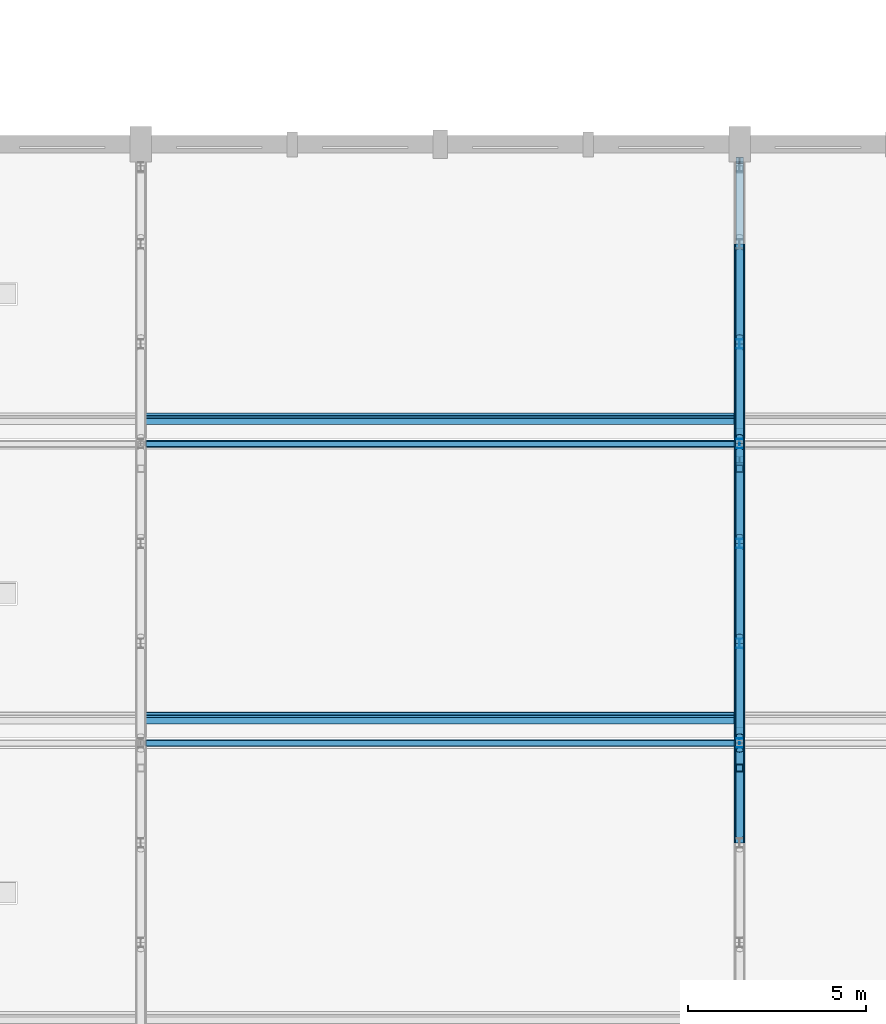
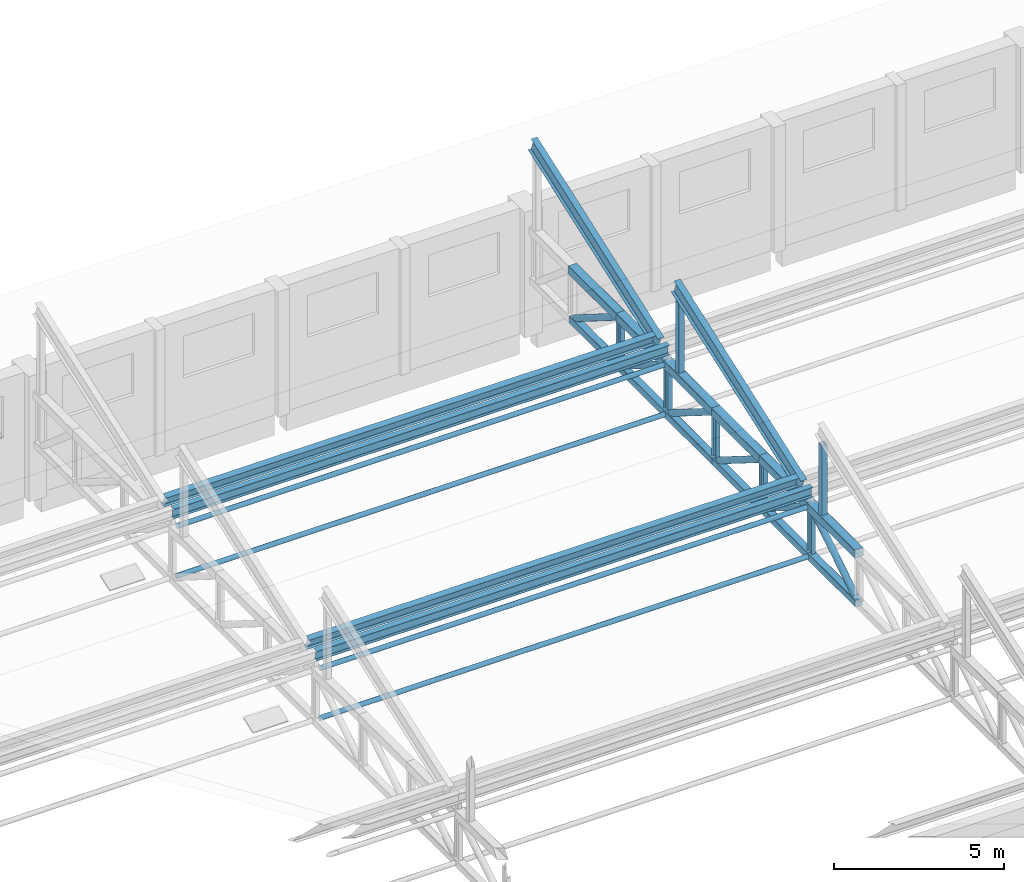
# One storey, part 21 of 101: 33 members, 2 beams.
"""IFC4 building model written with IfcOpenShell, lengths in metres."""

from ifc_helpers import new_model, si_unit, direction, frame, origin, origin_2d, place, context, subcontext, project, spatial, hollow_rectangle, hollow_circle, i_section, extrude, material, material_profile, profile_set, type_object, element, save


model = new_model("IFC4")

# Units and contexts
model_context = context("Model", 3, precision=1e-05, world=origin(), true_north=direction((0.0, 1.0)))
body_context = subcontext(model_context, "Body", "Model", "MODEL_VIEW")
ifc_project = project(units=[si_unit("LENGTHUNIT", "METRE"), si_unit("AREAUNIT", "SQUARE_METRE"), si_unit("VOLUMEUNIT", "CUBIC_METRE"), si_unit("PLANEANGLEUNIT", "RADIAN"), si_unit("MASSUNIT", "GRAM", prefix="KILO")], contexts=[model_context])

# Site, building, storey
site_placement = place(None, origin())
site = spatial("IfcSite", under=ifc_project, at=site_placement, CompositionType="ELEMENT")
building_placement = place(site_placement, origin())
building = spatial("IfcBuilding", under=site, at=building_placement, Name="Fescue Hill Polytechnic", CompositionType="ELEMENT")
storey_placement = place(building_placement, frame((0.0, 0.0, 9.0)))
storey = spatial("IfcBuildingStorey", under=building, at=storey_placement, Name="L02", CompositionType="ELEMENT", Elevation=9.0)

# Members
ifc_material = material(Name="Steel 350W (350 MPa)", Category="steel")
ifc_material_profile_1 = material_profile(ifc_material, hollow_rectangle(XDim=0.25390625, YDim=0.25390625, WallThickness=0.0126953125, InnerFilletRadius=0.0126953125, OuterFilletRadius=0.025390625, at=origin_2d()), Name="Hall truss bottom chord HSS 254x254x13")
ifc_profile_set_1 = profile_set([ifc_material_profile_1], Name="Steel 350W (350 MPa)")
member_type_1 = type_object("IfcMemberType", Name="Hall truss bottom chord HSS 254x254x13", PredefinedType="CHORD", material=ifc_profile_set_1)
member_1_placement = place(storey_placement, frame((50.39990234375, 30.800048828125, 2.0), z_axis=(0.0, 1.0, 0.0), x_axis=(-1.0, 0.0, 0.0)))
element("IfcMember", 1, at=member_1_placement, inside=storey, type_object=member_type_1, Name="Truss TR4 bottom chord 6", PredefinedType="CHORD", context=body_context, shape_type="SweptSolid", body=[
    extrude(hollow_rectangle(XDim=0.25390625, YDim=0.25390625, WallThickness=0.0126953125, InnerFilletRadius=0.0126953125, OuterFilletRadius=0.025390625, at=origin_2d()), origin(), (0.0, 0.0, 1.0), 2.800048828125),
])
member_2_placement = place(storey_placement, frame((50.39990234375, 33.60009765625, 2.0), z_axis=(0.0, 1.0, 0.0), x_axis=(-1.0, 0.0, 0.0)))
element("IfcMember", 2, at=member_2_placement, inside=storey, type_object=member_type_1, Name="Truss TR4 bottom chord 7", PredefinedType="CHORD", context=body_context, shape_type="SweptSolid", body=[
    extrude(hollow_rectangle(XDim=0.25390625, YDim=0.25390625, WallThickness=0.0126953125, InnerFilletRadius=0.0126953125, OuterFilletRadius=0.025390625, at=origin_2d()), origin(), (0.0, 0.0, 1.0), 2.7998046875),
])
for number, where, z_axis, x_axis, name in (
    (3, (50.39990234375, 36.39990234375, 2.0), (0.0, 1.0, 0.0), (-1.0, 0.0, 0.0), "Truss TR4 bottom chord 8"),
    (4, (50.39990234375, 39.199951171875, 2.0), (0.0, 1.0, 0.0), (-1.0, 0.0, 0.0), "Truss TR4 bottom chord 9"),
    (5, (50.39990234375, 42.0, 2.0), (0.0, 1.0, 0.0), (-1.0, 0.0, 0.0), "Truss TR4 bottom chord 10"),
    (6, (50.39990234375, 44.800048828125, 2.0), (0.0, 1.0, 0.0), (-1.0, 0.0, 0.0), "Truss TR4 bottom chord 11"),
):
    element("IfcMember", number, at=place(storey_placement, frame(where, z_axis=z_axis, x_axis=x_axis)), inside=storey, type_object=member_type_1, Name=name, PredefinedType="CHORD", context=body_context, shape_type="SweptSolid", body=[
        extrude(hollow_rectangle(XDim=0.25390625, YDim=0.25390625, WallThickness=0.0126953125, InnerFilletRadius=0.0126953125, OuterFilletRadius=0.025390625, at=origin_2d()), origin(), (0.0, 0.0, 1.0), 2.800048828125),
    ])
ifc_material_profile_2 = material_profile(ifc_material, hollow_circle(Radius=0.109619140625, WallThickness=0.009521484375, at=origin_2d()), Name="Hall truss diagonal CHS 219x9.5")
ifc_profile_set_2 = profile_set([ifc_material_profile_2], Name="Steel 350W (350 MPa)")
member_type_2 = type_object("IfcMemberType", Name="Hall truss diagonal CHS 219x9.5", PredefinedType="BRACE", material=ifc_profile_set_2)
for number, where, z_axis, x_axis, name in (
    (7, (50.39990234375, 31.0, 2.126953125), (0.0, 0.847329350891, 0.531067765091), (-1.0, 0.0, 0.0), "Truss TR4 diagonal 6"),
    (8, (50.39990234375, 33.800048828125, 3.631103515625), (0.0, 0.847329350891, -0.531067765091), (-1.0, 0.0, 0.0), "Truss TR4 diagonal 7"),
    (9, (50.39990234375, 36.60009765625, 3.631103515625), (0.0, 0.847329350891, -0.531067765091), (-1.0, 0.0, 0.0), "Truss TR4 diagonal 8"),
):
    element("IfcMember", number, at=place(storey_placement, frame(where, z_axis=z_axis, x_axis=x_axis)), inside=storey, type_object=member_type_2, Name=name, PredefinedType="BRACE", context=body_context, shape_type="SweptSolid", body=[
        extrude(hollow_circle(Radius=0.109619140625, WallThickness=0.009521484375, at=origin_2d()), origin(), (0.0, 0.0, 1.0), 2.832275390625),
    ])
for number, where, z_axis, x_axis, name in (
    (10, (50.39990234375, 39.39990234375, 3.631103515625), (0.0, 0.847353658992, -0.531028979051), (-1.0, 0.0, 0.0), "Truss TR4 diagonal 9"),
    (11, (50.39990234375, 42.199951171875, 3.631103515625), (0.0, 0.847353658992, -0.531028979051), (-1.0, 0.0, 0.0), "Truss TR4 diagonal 10"),
):
    element("IfcMember", number, at=place(storey_placement, frame(where, z_axis=z_axis, x_axis=x_axis)), inside=storey, type_object=member_type_2, Name=name, PredefinedType="BRACE", context=body_context, shape_type="SweptSolid", body=[
        extrude(hollow_circle(Radius=0.109619140625, WallThickness=0.009521484375, at=origin_2d()), origin(), (0.0, 0.0, 1.0), 2.83251953125),
    ])
member_3_placement = place(storey_placement, frame((50.39990234375, 45.0, 3.631103515625), z_axis=(0.0, 0.847329350891, -0.531067765091), x_axis=(-1.0, 0.0, 0.0)))
element("IfcMember", 12, at=member_3_placement, inside=storey, type_object=member_type_2, Name="Truss TR4 diagonal 11", PredefinedType="BRACE", context=body_context, shape_type="SweptSolid", body=[
    extrude(hollow_circle(Radius=0.109619140625, WallThickness=0.009521484375, at=origin_2d()), origin(), (0.0, 0.0, 1.0), 2.832275390625),
])
ifc_material_profile_3 = material_profile(ifc_material, i_section(OverallWidth=0.14794921875, OverallDepth=0.26611328125, WebThickness=0.007568359375, FlangeThickness=0.012939453125, FilletRadius=0.013916015625, at=origin_2d()), Name="W250x45")
ifc_profile_set_3 = profile_set([ifc_material_profile_3], Name="Steel 350W (350 MPa)")
member_type_3 = type_object("IfcMemberType", Name="Hall truss post W250x45", PredefinedType="POST", material=ifc_profile_set_3)
for number, where, z_axis, x_axis, name in (
    (13, (50.39990234375, 33.60009765625, 2.126953125), (0.0, 0.0, 1.0), (1.0, 0.0, 0.0), "Truss TR4 post 7"),
    (14, (50.39990234375, 36.39990234375, 2.126953125), (0.0, 0.0, 1.0), (1.0, 0.0, 0.0), "Truss TR4 post 8"),
    (15, (50.39990234375, 39.199951171875, 2.126953125), (0.0, 0.0, 1.0), (1.0, 0.0, 0.0), "Truss TR4 post 9"),
    (16, (50.39990234375, 42.0, 2.126953125), (0.0, 0.0, 1.0), (1.0, 0.0, 0.0), "Truss TR4 post 10"),
    (17, (50.39990234375, 44.800048828125, 2.126953125), (0.0, 0.0, 1.0), (1.0, 0.0, 0.0), "Truss TR4 post 11"),
):
    element("IfcMember", number, at=place(storey_placement, frame(where, z_axis=z_axis, x_axis=x_axis)), inside=storey, type_object=member_type_3, Name=name, PredefinedType="POST", context=body_context, shape_type="SweptSolid", body=[
        extrude(i_section(OverallWidth=0.14794921875, OverallDepth=0.26611328125, WebThickness=0.007568359375, FlangeThickness=0.012939453125, FilletRadius=0.013916015625, at=origin_2d()), origin(), (0.0, 0.0, 1.0), 1.504150390625),
    ])
ifc_material_profile_4 = material_profile(ifc_material, hollow_circle(Radius=0.084228515625, WallThickness=0.009521484375, at=origin_2d()), Name="Hall truss tie strut CHS 168x9.5")
ifc_profile_set_4 = profile_set([ifc_material_profile_4], Name="Steel 350W (350 MPa)")
member_type_4 = type_object("IfcMemberType", Name="Hall truss tie strut CHS 168x9.5", PredefinedType="STRUT", material=ifc_profile_set_4)
member_4_placement = place(storey_placement, frame((33.75244140625, 33.60009765625, 3.783447265625), z_axis=(1.0, 0.0, 0.0), x_axis=(0.0, 1.0, 0.0)))
element("IfcMember", 18, at=member_4_placement, inside=storey, type_object=member_type_4, Name="Top chord tie strut bay 3 line 2", PredefinedType="STRUT", context=body_context, shape_type="SweptSolid", body=[
    extrude(hollow_circle(Radius=0.084228515625, WallThickness=0.009521484375, at=origin_2d()), origin(), (0.0, 0.0, 1.0), 16.4951171875),
])
member_5_placement = place(storey_placement, frame((33.72705078125, 33.60009765625, 2.0), z_axis=(1.0, 0.0, 0.0), x_axis=(0.0, 1.0, 0.0)))
element("IfcMember", 19, at=member_5_placement, inside=storey, type_object=member_type_4, Name="Bottom chord tie strut bay 3 line 2", PredefinedType="STRUT", context=body_context, shape_type="SweptSolid", body=[
    extrude(hollow_circle(Radius=0.084228515625, WallThickness=0.009521484375, at=origin_2d()), origin(), (0.0, 0.0, 1.0), 16.5458984375),
])
member_6_placement = place(storey_placement, frame((33.75244140625, 42.0, 3.783447265625), z_axis=(1.0, 0.0, 0.0), x_axis=(0.0, 1.0, 0.0)))
element("IfcMember", 20, at=member_6_placement, inside=storey, type_object=member_type_4, Name="Top chord tie strut bay 3 line 3", PredefinedType="STRUT", context=body_context, shape_type="SweptSolid", body=[
    extrude(hollow_circle(Radius=0.084228515625, WallThickness=0.009521484375, at=origin_2d()), origin(), (0.0, 0.0, 1.0), 16.4951171875),
])
member_7_placement = place(storey_placement, frame((33.72705078125, 42.0, 2.0), z_axis=(1.0, 0.0, 0.0), x_axis=(0.0, 1.0, 0.0)))
element("IfcMember", 21, at=member_7_placement, inside=storey, type_object=member_type_4, Name="Bottom chord tie strut bay 3 line 3", PredefinedType="STRUT", context=body_context, shape_type="SweptSolid", body=[
    extrude(hollow_circle(Radius=0.084228515625, WallThickness=0.009521484375, at=origin_2d()), origin(), (0.0, 0.0, 1.0), 16.5458984375),
])
ifc_material_profile_5 = material_profile(ifc_material, hollow_rectangle(XDim=0.3046875, YDim=0.3046875, WallThickness=0.0126953125, InnerFilletRadius=0.0126953125, OuterFilletRadius=0.025390625, at=origin_2d()), Name="Hall truss top chord HSS 305x305x13")
ifc_profile_set_5 = profile_set([ifc_material_profile_5], Name="Steel 350W (350 MPa)")
member_type_5 = type_object("IfcMemberType", Name="Hall truss top chord HSS 305x305x13", PredefinedType="CHORD", material=ifc_profile_set_5)
member_8_placement = place(storey_placement, frame((50.39990234375, 30.800048828125, 3.783447265625), z_axis=(0.0, 1.0, 0.0), x_axis=(-1.0, 0.0, 0.0)))
element("IfcMember", 22, at=member_8_placement, inside=storey, type_object=member_type_5, Name="Truss TR4 top chord 6", PredefinedType="CHORD", context=body_context, shape_type="SweptSolid", body=[
    extrude(hollow_rectangle(XDim=0.3046875, YDim=0.3046875, WallThickness=0.0126953125, InnerFilletRadius=0.0126953125, OuterFilletRadius=0.025390625, at=origin_2d()), origin(), (0.0, 0.0, 1.0), 2.800048828125),
])
member_9_placement = place(storey_placement, frame((50.39990234375, 33.60009765625, 3.783447265625), z_axis=(0.0, 1.0, 0.0), x_axis=(-1.0, 0.0, 0.0)))
element("IfcMember", 23, at=member_9_placement, inside=storey, type_object=member_type_5, Name="Truss TR4 top chord 7", PredefinedType="CHORD", context=body_context, shape_type="SweptSolid", body=[
    extrude(hollow_rectangle(XDim=0.3046875, YDim=0.3046875, WallThickness=0.0126953125, InnerFilletRadius=0.0126953125, OuterFilletRadius=0.025390625, at=origin_2d()), origin(), (0.0, 0.0, 1.0), 2.7998046875),
])
for number, where, z_axis, x_axis, name in (
    (24, (50.39990234375, 36.39990234375, 3.783447265625), (0.0, 1.0, 0.0), (-1.0, 0.0, 0.0), "Truss TR4 top chord 8"),
    (25, (50.39990234375, 39.199951171875, 3.783447265625), (0.0, 1.0, 0.0), (-1.0, 0.0, 0.0), "Truss TR4 top chord 9"),
    (26, (50.39990234375, 42.0, 3.783447265625), (0.0, 1.0, 0.0), (-1.0, 0.0, 0.0), "Truss TR4 top chord 10"),
    (27, (50.39990234375, 44.800048828125, 3.783447265625), (0.0, 1.0, 0.0), (-1.0, 0.0, 0.0), "Truss TR4 top chord 11"),
):
    element("IfcMember", number, at=place(storey_placement, frame(where, z_axis=z_axis, x_axis=x_axis)), inside=storey, type_object=member_type_5, Name=name, PredefinedType="CHORD", context=body_context, shape_type="SweptSolid", body=[
        extrude(hollow_rectangle(XDim=0.3046875, YDim=0.3046875, WallThickness=0.0126953125, InnerFilletRadius=0.0126953125, OuterFilletRadius=0.025390625, at=origin_2d()), origin(), (0.0, 0.0, 1.0), 2.800048828125),
    ])
ifc_material_profile_6 = material_profile(ifc_material, i_section(OverallWidth=0.18994140625, OverallDepth=0.45703125, WebThickness=0.009033203125, FlangeThickness=0.014404296875, FilletRadius=0.0166015625, at=origin_2d()), Name="W460x74")
ifc_profile_set_6 = profile_set([ifc_material_profile_6], Name="Steel 350W (350 MPa)")
member_type_6 = type_object("IfcMemberType", Name="Tooth purlin W460x74", PredefinedType="PURLIN", material=ifc_profile_set_6)
for number, where, z_axis, x_axis, name in (
    (28, (33.70458984375, 34.300048828125, 4.294921875), (1.0, 0.0, 0.0), (0.0, 0.941741911595, 0.336336396997), "Tooth 3 purlin 1 bay 3"),
    (29, (33.70458984375, 42.699951171875, 4.294921875), (1.0, 0.0, 0.0), (0.0, 0.941741911595, 0.336336396997), "Tooth 4 purlin 1 bay 3"),
):
    element("IfcMember", number, at=place(storey_placement, frame(where, z_axis=z_axis, x_axis=x_axis)), inside=storey, type_object=member_type_6, Name=name, PredefinedType="PURLIN", context=body_context, shape_type="SweptSolid", body=[
        extrude(i_section(OverallWidth=0.18994140625, OverallDepth=0.45703125, WebThickness=0.009033203125, FlangeThickness=0.014404296875, FilletRadius=0.0166015625, at=origin_2d()), origin(), (0.0, 0.0, 1.0), 16.5908203125),
    ])
ifc_material_profile_7 = material_profile(ifc_material, i_section(OverallWidth=0.208984375, OverallDepth=0.532958984375, WebThickness=0.01025390625, FlangeThickness=0.015625, FilletRadius=0.016357421875, at=origin_2d()), Name="W530x92")
ifc_profile_set_7 = profile_set([ifc_material_profile_7], Name="Steel 350W (350 MPa)")
member_type_7 = type_object("IfcMemberType", Name="Tooth rafter W530x92", PredefinedType="RAFTER", material=ifc_profile_set_7)
for number, where, z_axis, x_axis, name in (
    (30, (50.39990234375, 34.1103515625, 4.18701171875), (0.0, 0.941744009147, 0.336330523793), (-1.0, 0.0, 0.0), "Tooth 3 rafter on TR4"),
    (31, (50.39990234375, 42.51025390625, 4.18701171875), (0.0, 0.941744009147, 0.336330523793), (-1.0, 0.0, 0.0), "Tooth 4 rafter on TR4"),
):
    element("IfcMember", number, at=place(storey_placement, frame(where, z_axis=z_axis, x_axis=x_axis)), inside=storey, type_object=member_type_7, Name=name, PredefinedType="RAFTER", context=body_context, shape_type="SweptSolid", body=[
        extrude(i_section(OverallWidth=0.208984375, OverallDepth=0.532958984375, WebThickness=0.01025390625, FlangeThickness=0.015625, FilletRadius=0.016357421875, at=origin_2d()), origin(), (0.0, 0.0, 1.0), 7.89990234375),
    ])
ifc_material_profile_8 = material_profile(ifc_material, hollow_rectangle(XDim=0.203125, YDim=0.203125, WallThickness=0.009521484375, InnerFilletRadius=0.009521484375, OuterFilletRadius=0.01904296875, at=origin_2d()), Name="Tooth ridge post HSS 203x203x9.5")
ifc_profile_set_8 = profile_set([ifc_material_profile_8], Name="Steel 350W (350 MPa)")
member_type_8 = type_object("IfcMemberType", Name="Tooth ridge post HSS 203x203x9.5", PredefinedType="POST", material=ifc_profile_set_8)
for number, where, z_axis, x_axis, name in (
    (32, (50.39990234375, 32.89990234375, 3.93603515625), (0.0, 0.0, 1.0), (1.0, 0.0, 0.0), "Tooth 2 ridge post on TR4"),
    (33, (50.39990234375, 41.300048828125, 3.93603515625), (0.0, 0.0, 1.0), (1.0, 0.0, 0.0), "Tooth 3 ridge post on TR4"),
):
    element("IfcMember", number, at=place(storey_placement, frame(where, z_axis=z_axis, x_axis=x_axis)), inside=storey, type_object=member_type_8, Name=name, PredefinedType="POST", context=body_context, shape_type="SweptSolid", body=[
        extrude(hollow_rectangle(XDim=0.203125, YDim=0.203125, WallThickness=0.009521484375, InnerFilletRadius=0.009521484375, OuterFilletRadius=0.01904296875, at=origin_2d()), origin(), (0.0, 0.0, 1.0), 2.499267578125),
    ])

# Beams
ifc_material_profile_9 = material_profile(ifc_material, i_section(OverallWidth=0.2041015625, OverallDepth=0.35009765625, WebThickness=0.008544921875, FlangeThickness=0.01513671875, FilletRadius=0.02197265625, at=origin_2d()), Name="W360x72")
ifc_profile_set_9 = profile_set([ifc_material_profile_9], Name="Steel 350W (350 MPa)")
beam_type = type_object("IfcBeamType", Name="Valley gutter beam W360x72", PredefinedType="BEAM", material=ifc_profile_set_9)
for number, where, z_axis, x_axis, name in (
    (34, (33.60009765625, 33.60009765625, 4.324951171875), (1.0, 0.0, 0.0), (0.0, 1.0, 0.0), "Valley 3 gutter beam bay 3"),
    (35, (33.60009765625, 42.0, 4.324951171875), (1.0, 0.0, 0.0), (0.0, 1.0, 0.0), "Valley 4 gutter beam bay 3"),
):
    element("IfcBeam", number, at=place(storey_placement, frame(where, z_axis=z_axis, x_axis=x_axis)), inside=storey, type_object=beam_type, Name=name, PredefinedType="BEAM", context=body_context, shape_type="SweptSolid", body=[
        extrude(i_section(OverallWidth=0.2041015625, OverallDepth=0.35009765625, WebThickness=0.008544921875, FlangeThickness=0.01513671875, FilletRadius=0.02197265625, at=origin_2d()), origin(), (0.0, 0.0, 1.0), 16.7998046875),
    ])

save(model, "model.ifc")
